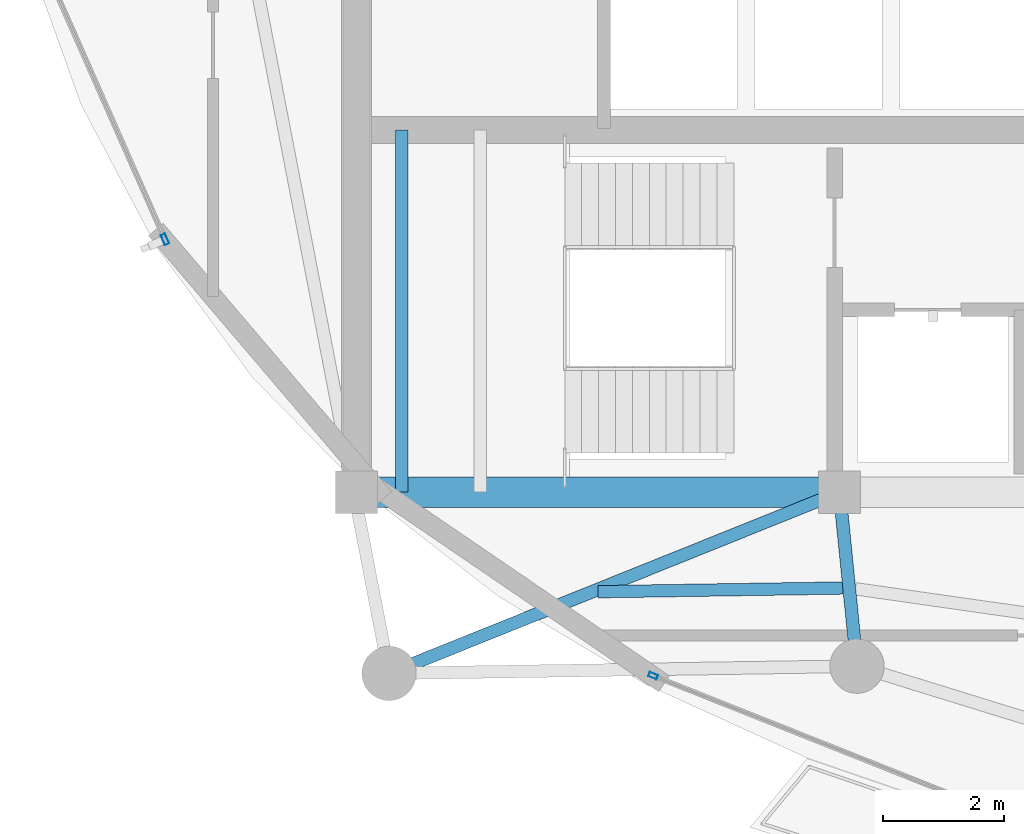
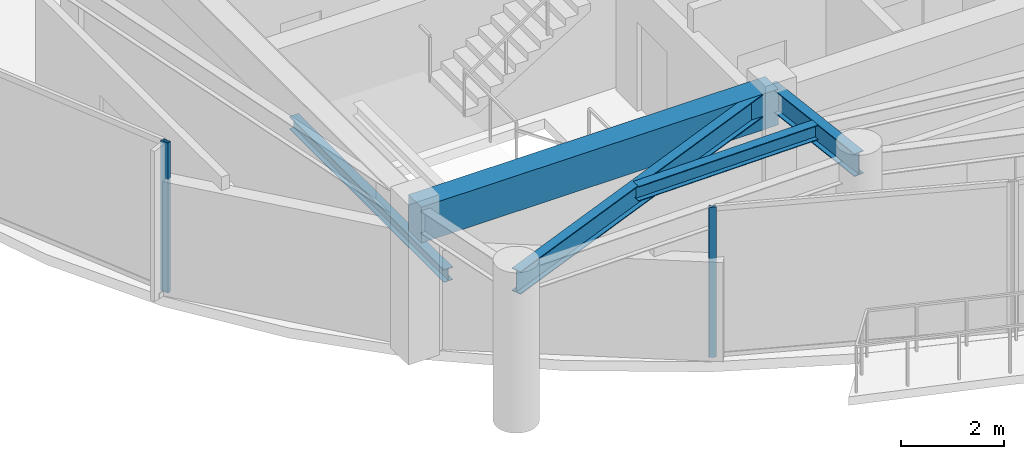
# One storey, part 2 of 22: 5 beams, 2 members, 2 elements without a shape of their own.
"""IFC4 building model written with IfcOpenShell, lengths in metres."""

from ifc_helpers import new_model, si_unit, direction, frame, origin, origin_2d, place, context, subcontext, project, spatial, rectangle, hollow_rectangle, i_section, extrude, material, layer, layer_set, material_profile, profile_set, type_object, element, aggregate, save


model = new_model("IFC4")

# Units and contexts
model_context = context("Model", 3, precision=1e-05, world=origin(), true_north=direction((0.0, 1.0)))
body_context = subcontext(model_context, "Body", "Model", "MODEL_VIEW")
ifc_project = project(units=[si_unit("LENGTHUNIT", "METRE"), si_unit("AREAUNIT", "SQUARE_METRE"), si_unit("VOLUMEUNIT", "CUBIC_METRE"), si_unit("PLANEANGLEUNIT", "RADIAN"), si_unit("MASSUNIT", "GRAM", prefix="KILO")], contexts=[model_context])

# Site, building, storey
site_placement = place(None, origin())
site = spatial("IfcSite", under=ifc_project, at=site_placement, CompositionType="ELEMENT")
building_placement = place(site_placement, origin())
building = spatial("IfcBuilding", under=site, at=building_placement, Name="Kazevale Care Tower and Concert Hall", CompositionType="ELEMENT")
storey_placement = place(building_placement, frame((0.0, 0.0, 273.800048828125)))
storey = spatial("IfcBuildingStorey", under=building, at=storey_placement, Name="L72", CompositionType="ELEMENT", Elevation=273.800048828125)

# Curtain wall, member
ifc_material_1 = material(Name="Aluminium 6063-T6 and Low-E Glass", Category="aluminium")
ifc_layer_1 = layer(ifc_material_1, 0.179931640625)
ifc_layer_set_1 = layer_set([ifc_layer_1], Name="Aluminium 6063-T6 and Low-E Glass")
curtain_wall_type_1 = type_object("IfcCurtainWallType", Name="Waist & Upper Residential Curtain Wall CW-4", PredefinedType="NOTDEFINED", material=ifc_layer_set_1)
curtain_wall_1_placement = place(storey_placement, origin())
curtain_wall_1 = element("IfcCurtainWall", 1, at=curtain_wall_1_placement, inside=storey, type_object=curtain_wall_type_1, Name="cw:L72:f07", PredefinedType="NOTDEFINED")
ifc_material_2 = material(Name="Aluminium 6063-T6", Category="aluminium")
ifc_material_profile_1 = material_profile(ifc_material_2, hollow_rectangle(XDim=0.080078125, YDim=0.179931640625, WallThickness=0.0048828125, at=origin_2d()), Name="ALU80x180x5")
ifc_profile_set_1 = profile_set([ifc_material_profile_1], Name="Aluminium 6063-T6")
member_type_1 = type_object("IfcMemberType", Name="CW-4 Mullion ALU80x180x5", PredefinedType="MULLION", material=ifc_profile_set_1)
member_1_placement = place(storey_placement, frame((18.828857421875, 27.78759765625, 0.0), z_axis=(0.0, 0.0, 1.0), x_axis=(-0.914936245618, -0.403598397488, 0.0)))
member_1 = element("IfcMember", 2, at=member_1_placement, type_object=member_type_1, Name="CW-4 mullion 1", PredefinedType="MULLION", context=body_context, shape_type="SweptSolid", body=[
    extrude(hollow_rectangle(XDim=0.080078125, YDim=0.179931640625, WallThickness=0.0048828125, at=origin_2d()), origin(), (0.0, 0.0, 1.0), 3.56005859375),
])
aggregate(curtain_wall_1, [member_1])

ifc_layer_2 = layer(ifc_material_1, 0.179931640625)
ifc_layer_set_2 = layer_set([ifc_layer_2], Name="Aluminium 6063-T6 and Low-E Glass")
curtain_wall_type_2 = type_object("IfcCurtainWallType", Name="Sheltered Concave Balcony Curtain Wall CW-5", PredefinedType="NOTDEFINED", material=ifc_layer_set_2)
curtain_wall_2_placement = place(storey_placement, origin())
curtain_wall_2 = element("IfcCurtainWall", 3, at=curtain_wall_2_placement, inside=storey, type_object=curtain_wall_type_2, Name="cw:L72:f04", PredefinedType="NOTDEFINED")
ifc_material_profile_2 = material_profile(ifc_material_2, hollow_rectangle(XDim=0.074951171875, YDim=0.14990234375, WallThickness=0.00390625, at=origin_2d()), Name="ALU75x150x4")
ifc_profile_set_2 = profile_set([ifc_material_profile_2], Name="Aluminium 6063-T6")
member_type_2 = type_object("IfcMemberType", Name="CW-5 Mullion ALU75x150x4", PredefinedType="MULLION", material=ifc_profile_set_2)
member_2_placement = place(storey_placement, frame((26.912841796875, 20.56103515625, 0.0), z_axis=(0.0, 0.0, 1.0), x_axis=(-0.369556171894, -0.929208392028, 0.0)))
member_2 = element("IfcMember", 4, at=member_2_placement, type_object=member_type_2, Name="CW-5 mullion 2", PredefinedType="MULLION", context=body_context, shape_type="SweptSolid", body=[
    extrude(hollow_rectangle(XDim=0.074951171875, YDim=0.14990234375, WallThickness=0.00390625, at=origin_2d()), origin(), (0.0, 0.0, 1.0), 3.56005859375),
])
aggregate(curtain_wall_2, [member_2])

# Beams
ifc_material_3 = material(Name="Concrete C60", Category="concrete")
ifc_material_profile_3 = material_profile(ifc_material_3, rectangle(XDim=0.5, YDim=0.85009765625, at=origin_2d()), Name="RC-B500x850")
ifc_profile_set_3 = profile_set([ifc_material_profile_3], Name="Concrete C60")
beam_type_1 = type_object("IfcBeamType", Name="Core Coupling Beam RC500x850", PredefinedType="LINTEL", material=ifc_profile_set_3)
beam_1_placement = place(storey_placement, frame((22.0, 23.60009765625, 3.135009765625), z_axis=(1.0, 0.0, 0.0), x_axis=(0.0, 1.0, 0.0)))
element("IfcBeam", 5, at=beam_1_placement, inside=storey, type_object=beam_type_1, Name="beam:L72:coretie:1", PredefinedType="LINTEL", context=body_context, shape_type="SweptSolid", body=[
    extrude(rectangle(XDim=0.5, YDim=0.85009765625, at=origin_2d()), origin(), (0.0, 0.0, 1.0), 8.0),
])
ifc_material_4 = material(Name="Steel ASTM A572 Gr 50", Category="steel")
ifc_material_profile_4 = material_profile(ifc_material_4, i_section(OverallWidth=0.2119140625, OverallDepth=0.5439453125, WebThickness=0.01318359375, FlangeThickness=0.021240234375, at=origin_2d()), Name="W530x123")
ifc_profile_set_4 = profile_set([ifc_material_profile_4], Name="Steel ASTM A572 Gr 50")
beam_type_2 = type_object("IfcBeamType", Name="Radial Floor Girder W530x123", PredefinedType="BEAM", material=ifc_profile_set_4)
beam_2_placement = place(storey_placement, frame((30.0, 23.60009765625, 3.287841796875), z_axis=(-0.927788258921, -0.373107151644, 0.0), x_axis=(0.373107151644, -0.927788258921, 0.0)))
element("IfcBeam", 6, at=beam_2_placement, inside=storey, type_object=beam_type_2, Name="beam:L72:rad:10", PredefinedType="BEAM", context=body_context, shape_type="SweptSolid", body=[
    extrude(i_section(OverallWidth=0.2119140625, OverallDepth=0.5439453125, WebThickness=0.01318359375, FlangeThickness=0.021240234375, at=origin_2d()), origin(), (0.0, 0.0, 1.0), 8.04052734375),
])
beam_3_placement = place(storey_placement, frame((30.0, 23.60009765625, 3.287841796875), z_axis=(0.100196792003, -0.994967639108, 0.0), x_axis=(0.994967639108, 0.100196792003, 0.0)))
element("IfcBeam", 7, at=beam_3_placement, inside=storey, type_object=beam_type_2, Name="beam:L72:rad:11", PredefinedType="BEAM", context=body_context, shape_type="SweptSolid", body=[
    extrude(i_section(OverallWidth=0.2119140625, OverallDepth=0.5439453125, WebThickness=0.01318359375, FlangeThickness=0.021240234375, at=origin_2d()), origin(), (0.0, 0.0, 1.0), 2.894775390625),
])
ifc_material_profile_5 = material_profile(ifc_material_4, i_section(OverallWidth=0.205078125, OverallDepth=0.35400390625, WebThickness=0.009521484375, FlangeThickness=0.016845703125, at=origin_2d()), Name="W360x79")
ifc_profile_set_5 = profile_set([ifc_material_profile_5], Name="Steel ASTM A572 Gr 50")
beam_type_3 = type_object("IfcBeamType", Name="Secondary Floor Joist W360x79", PredefinedType="JOIST", material=ifc_profile_set_5)
beam_4_placement = place(storey_placement, frame((26.001953125, 21.951904296875, 3.383056640625), z_axis=(0.999882971215, 0.015298492542, 0.0), x_axis=(-0.015298492542, 0.999882971215, 0.0)))
element("IfcBeam", 8, at=beam_4_placement, inside=storey, type_object=beam_type_3, Name="beam:L72:joist:10", PredefinedType="JOIST", context=body_context, shape_type="SweptSolid", body=[
    extrude(i_section(OverallWidth=0.205078125, OverallDepth=0.35400390625, WebThickness=0.009521484375, FlangeThickness=0.016845703125, at=origin_2d()), origin(), (0.0, 0.0, 1.0), 4.053466796875),
])
ifc_material_profile_6 = material_profile(ifc_material_4, i_section(OverallWidth=0.202880859375, OverallDepth=0.302978515625, WebThickness=0.007568359375, FlangeThickness=0.01318359375, at=origin_2d()), Name="W310x60")
ifc_profile_set_6 = profile_set([ifc_material_profile_6], Name="Steel ASTM A572 Gr 50")
beam_type_4 = type_object("IfcBeamType", Name="Stair & Balcony Trimmer W310x60", PredefinedType="BEAM", material=ifc_profile_set_6)
beam_5_placement = place(storey_placement, frame((22.75, 23.60009765625, 1.54833984375), z_axis=(0.0, 1.0, 0.0), x_axis=(-1.0, 0.0, 0.0)))
element("IfcBeam", 9, at=beam_5_placement, inside=storey, type_object=beam_type_4, Name="beam:L72:sttrim:ST1", PredefinedType="BEAM", context=body_context, shape_type="SweptSolid", body=[
    extrude(i_section(OverallWidth=0.202880859375, OverallDepth=0.302978515625, WebThickness=0.007568359375, FlangeThickness=0.01318359375, at=origin_2d()), origin(), (0.0, 0.0, 1.0), 6.0),
])

save(model, "model.ifc")
